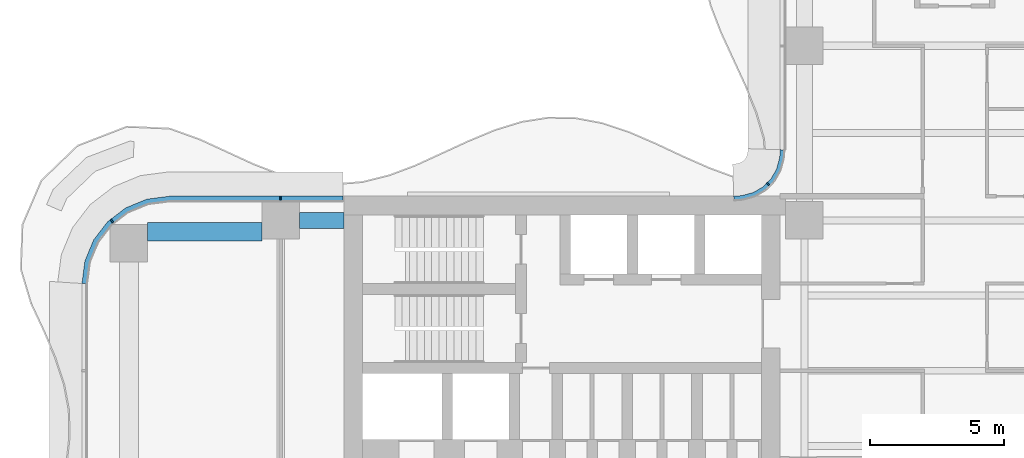
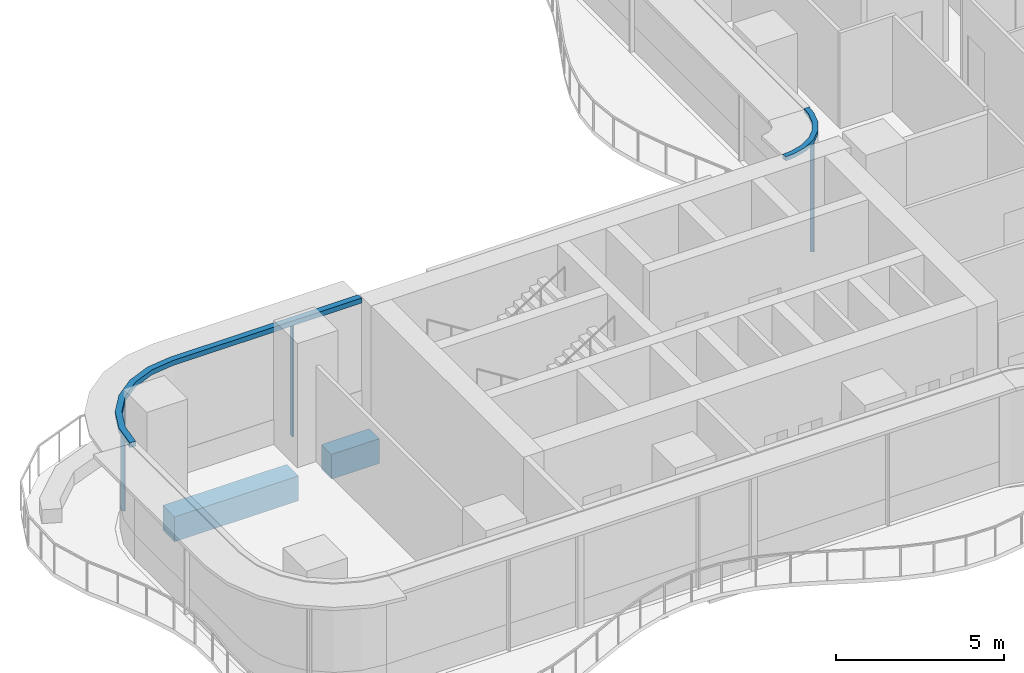
# One storey, part 8 of 22: 5 members, 2 beams, 2 elements without a shape of their own.
"""IFC4 building model written with IfcOpenShell, lengths in metres."""

from ifc_helpers import new_model, si_unit, direction, frame, origin, origin_2d, place, context, subcontext, project, spatial, polyline, rectangle, outline, extrude, source, transform, mapped, material, layer, layer_set, material_profile, profile_set, type_object, element, aggregate, save


model = new_model("IFC4")

# Units and contexts
model_context = context("Model", 3, precision=1e-05, world=origin(), true_north=direction((0.0, 1.0)))
body_context = subcontext(model_context, "Body", "Model", "MODEL_VIEW")
ifc_project = project(units=[si_unit("LENGTHUNIT", "METRE"), si_unit("AREAUNIT", "SQUARE_METRE"), si_unit("VOLUMEUNIT", "CUBIC_METRE"), si_unit("PLANEANGLEUNIT", "RADIAN"), si_unit("MASSUNIT", "GRAM", prefix="KILO")], contexts=[model_context])

# Site, building, storey
site_placement = place(None, origin())
site = spatial("IfcSite", under=ifc_project, at=site_placement, CompositionType="ELEMENT")
building_placement = place(site_placement, origin())
building = spatial("IfcBuilding", under=site, at=building_placement, Name="Trellis Farm Tower", CompositionType="ELEMENT")
storey_placement = place(building_placement, frame((0.0, 0.0, 56.5)))
storey = spatial("IfcBuildingStorey", under=building, at=storey_placement, Name="L11", CompositionType="ELEMENT", Elevation=56.5)

# Beams
ifc_material_1 = material(Name="Concrete C60/75", Category="concrete")
ifc_material_profile_1 = material_profile(ifc_material_1, rectangle(XDim=0.699951171875, YDim=0.89990234375, at=origin_2d()), Name="RC spandrel beam 700x900 C60/75")
ifc_profile_set_1 = profile_set([ifc_material_profile_1], Name="Concrete C60/75")
beam_type_1 = type_object("IfcBeamType", Name="RC spandrel beam 700x900 C60/75", PredefinedType="SPANDREL", material=ifc_profile_set_1)
shared_shape_1 = source(origin(), body_context, "Body", "SweptSolid", [
    extrude(rectangle(XDim=0.699951171875, YDim=0.89990234375, at=origin_2d()), origin(), (0.0, 0.0, 1.0), 4.25),
])
beam_1_placement = place(storey_placement, frame((-30.050048828125, 5.175048828125, -0.699951171875), z_axis=(1.0, 0.0, 0.0), x_axis=(0.0, 1.0, 0.0)))
element("IfcBeam", 1, at=beam_1_placement, inside=storey, type_object=beam_type_1, Name="Girder", PredefinedType="SPANDREL", context=body_context, shape_type="MappedRepresentation", body=[
    mapped(shared_shape_1, transform((0.0, 0.0, 0.0))),
])
ifc_material_profile_2 = material_profile(ifc_material_1, rectangle(XDim=0.60009765625, YDim=0.89990234375, at=origin_2d()), Name="RC spandrel beam 600x900 C60/75")
ifc_profile_set_2 = profile_set([ifc_material_profile_2], Name="Concrete C60/75")
beam_type_2 = type_object("IfcBeamType", Name="RC spandrel beam 600x900 C60/75", PredefinedType="SPANDREL", material=ifc_profile_set_2)
shared_shape_2 = source(origin(), body_context, "Body", "SweptSolid", [
    extrude(rectangle(XDim=0.60009765625, YDim=0.89990234375, at=origin_2d()), origin(), (0.0, 0.0, 1.0), 1.64990234375),
])
beam_2_placement = place(storey_placement, frame((-24.39990234375, 5.60009765625, -0.699951171875), z_axis=(1.0, 0.0, 0.0), x_axis=(0.0, 1.0, 0.0)))
element("IfcBeam", 2, at=beam_2_placement, inside=storey, type_object=beam_type_2, Name="Girder", PredefinedType="SPANDREL", context=body_context, shape_type="MappedRepresentation", body=[
    mapped(shared_shape_2, transform((0.0, 0.0, 0.0))),
])

# Curtain wall, members
ifc_material_2 = material(Name="Aluminium and glass curtain wall", Category="aluminium")
ifc_layer_1 = layer(ifc_material_2, 0.18994140625)
ifc_layer_set_1 = layer_set([ifc_layer_1], Name="RIBBON CURTAIN WALL CW1")
curtain_wall_type_1 = type_object("IfcCurtainWallType", Name="RIBBON CURTAIN WALL CW1", PredefinedType="NOTDEFINED", material=ifc_layer_set_1)
placement = place(storey_placement, origin())
curtain_wall_1 = element("IfcCurtainWall", 3, at=placement, inside=storey, type_object=curtain_wall_type_1, Name="CW1 012", PredefinedType="NOTDEFINED")
ifc_material_3 = material(Name="Aluminium extrusion 6063-T6", Category="aluminium")
ifc_material_profile_3 = material_profile(ifc_material_3, rectangle(XDim=0.06005859375, YDim=0.14990234375, at=origin_2d()), Name="MULLION 60x150")
ifc_profile_set_3 = profile_set([ifc_material_profile_3], Name="Aluminium extrusion 6063-T6")
member_type_1 = type_object("IfcMemberType", Name="CW1 MULLION 60x150", PredefinedType="MULLION", material=ifc_profile_set_3)
shared_shape_3 = source(origin(), body_context, "Body", "SweptSolid", [
    extrude(rectangle(XDim=0.06005859375, YDim=0.14990234375, at=origin_2d()), origin(), (0.0, 0.0, 1.0), 4.070068359375),
])
member_1_placement = place(storey_placement, frame((-25.10009765625, 6.425048828125, 0.0), z_axis=(0.0, 0.0, 1.0), x_axis=(-1.0, 0.0, 0.0)))
member_1 = element("IfcMember", 4, at=member_1_placement, type_object=member_type_1, Name="MU1 012-01", PredefinedType="MULLION", context=body_context, shape_type="MappedRepresentation", body=[
    mapped(shared_shape_3, transform((0.0, 0.0, 0.0))),
])
member_2_placement = place(storey_placement, frame((-31.385498046875, 5.578369140625, 0.0), z_axis=(0.0, 0.0, 1.0), x_axis=(-0.793353340291, -0.608761429009, 0.0)))
member_2 = element("IfcMember", 5, at=member_2_placement, type_object=member_type_1, Name="MU1 012-02", PredefinedType="MULLION", context=body_context, shape_type="MappedRepresentation", body=[
    mapped(shared_shape_3, transform((0.0, 0.0, 0.0))),
])

ifc_layer_2 = layer(ifc_material_2, 0.166015625)
ifc_layer_set_2 = layer_set([ifc_layer_2], Name="WINTER GARDEN CURTAIN WALL CW3")
curtain_wall_type_2 = type_object("IfcCurtainWallType", Name="WINTER GARDEN CURTAIN WALL CW3", PredefinedType="NOTDEFINED", material=ifc_layer_set_2)
curtain_wall_2 = element("IfcCurtainWall", 6, at=placement, inside=storey, type_object=curtain_wall_type_2, Name="CW3 004", PredefinedType="NOTDEFINED")
ifc_material_profile_4 = material_profile(ifc_material_3, rectangle(XDim=0.050048828125, YDim=0.1201171875, at=origin_2d()), Name="MULLION 50x120")
ifc_profile_set_4 = profile_set([ifc_material_profile_4], Name="Aluminium extrusion 6063-T6")
member_type_2 = type_object("IfcMemberType", Name="CW3 MULLION 50x120", PredefinedType="MULLION", material=ifc_profile_set_4)
shared_shape_4 = source(origin(), body_context, "Body", "SweptSolid", [
    extrude(rectangle(XDim=0.050048828125, YDim=0.1201171875, at=origin_2d()), origin(), (0.0, 0.0, 1.0), 4.10009765625),
])
member_3_placement = place(storey_placement, frame((-6.953125, 6.953125, 0.0), z_axis=(0.0, 0.0, 1.0), x_axis=(-0.707106781187, -0.707106781187, 0.0)))
member_3 = element("IfcMember", 7, at=member_3_placement, type_object=member_type_2, Name="MU3 004-01", PredefinedType="MULLION", context=body_context, shape_type="MappedRepresentation", body=[
    mapped(shared_shape_4, transform((0.0, 0.0, 0.0))),
])
ifc_layer_3 = layer(ifc_material_3, 0.169921875)
ifc_layer_set_3 = layer_set([ifc_layer_3], Name="Aluminium extrusion 6063-T6")
member_type_3 = type_object("IfcMemberType", Name="CW3 TRANSOM 170x150", PredefinedType="USERDEFINED", material=ifc_layer_set_3)
shared_shape_5 = source(origin(), body_context, "Body", "SweptSolid", [
    extrude(outline(polyline([(-6.5, 8.2314453125), (-6.513916015625, 8.01953125), (-6.527587890625, 7.91552734375), (-6.63671875, 7.508544921875), (-6.846923828125, 7.144287109375), (-7.144287109375, 6.846923828125), (-7.508544921875, 6.63671875), (-7.91552734375, 6.527587890625), (-8.01953125, 6.513916015625), (-8.2314453125, 6.5), (-8.225830078125, 6.330078125), (-8.0029296875, 6.3447265625), (-7.88232421875, 6.360595703125), (-7.44287109375, 6.478271484375), (-7.0400390625, 6.7109375), (-6.7109375, 7.0400390625), (-6.478271484375, 7.44287109375), (-6.360595703125, 7.88232421875), (-6.3447265625, 8.0029296875), (-6.330078125, 8.225830078125), (-6.5, 8.2314453125)])), origin(), (0.0, 0.0, 1.0), 0.14990234375),
])
member_4_placement = place(storey_placement, frame((0.0, 0.0, 4.10009765625)))
member_4 = element("IfcMember", 8, at=member_4_placement, type_object=member_type_3, Name="TR3 004", ObjectType="TRANSOM", PredefinedType="USERDEFINED", context=body_context, shape_type="MappedRepresentation", body=[
    mapped(shared_shape_5, transform((0.0, 0.0, 0.0))),
])
aggregate(curtain_wall_2, [member_3, member_4])

# Member
ifc_layer_4 = layer(ifc_material_3, 0.199951171875)
ifc_layer_set_4 = layer_set([ifc_layer_4], Name="Aluminium extrusion 6063-T6")
member_type_4 = type_object("IfcMemberType", Name="CW1 TRANSOM 200x180", PredefinedType="USERDEFINED", material=ifc_layer_set_4)
shared_shape_6 = source(origin(), body_context, "Body", "SweptSolid", [
    extrude(outline(polyline([(-22.780029296875, 6.5), (-29.25, 6.5), (-30.091064453125, 6.38916015625), (-30.875, 6.064697265625), (-31.548095703125, 5.548095703125), (-32.064697265625, 4.875), (-32.38916015625, 4.091064453125), (-32.5, 3.25), (-32.300048828125, 3.23681640625), (-32.1943359375, 4.0390625), (-31.889892578125, 4.774169921875), (-31.405517578125, 5.405517578125), (-30.774169921875, 5.889892578125), (-30.0390625, 6.1943359375), (-29.23681640625, 6.300048828125), (-22.780029296875, 6.300048828125), (-22.780029296875, 6.5)])), origin(), (0.0, 0.0, 1.0), 0.179931640625),
])
member_5_placement = place(storey_placement, frame((0.0, 0.0, 4.070068359375)))
member_5 = element("IfcMember", 9, at=member_5_placement, type_object=member_type_4, Name="TR1 012", ObjectType="TRANSOM", PredefinedType="USERDEFINED", context=body_context, shape_type="MappedRepresentation", body=[
    mapped(shared_shape_6, transform((0.0, 0.0, 0.0))),
])

aggregate(curtain_wall_1, [member_1, member_2, member_5])

save(model, "model.ifc")
